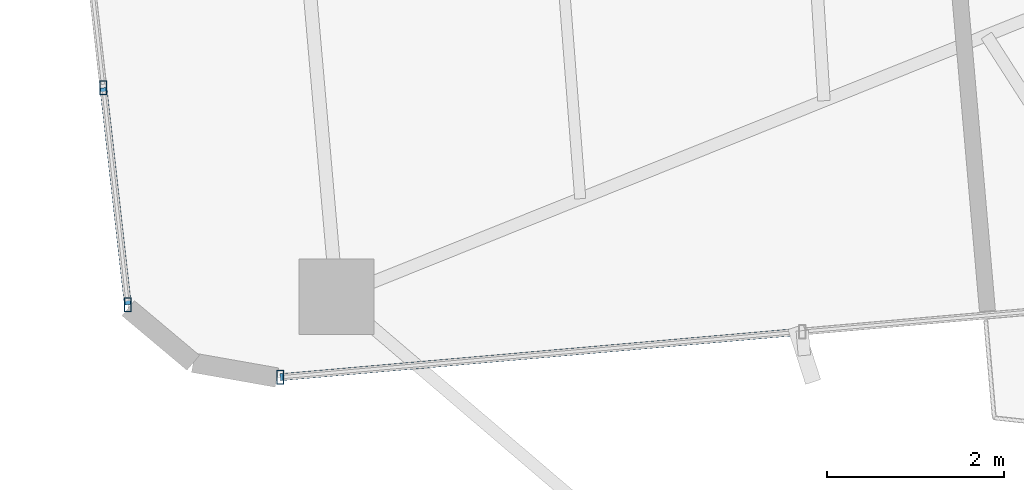
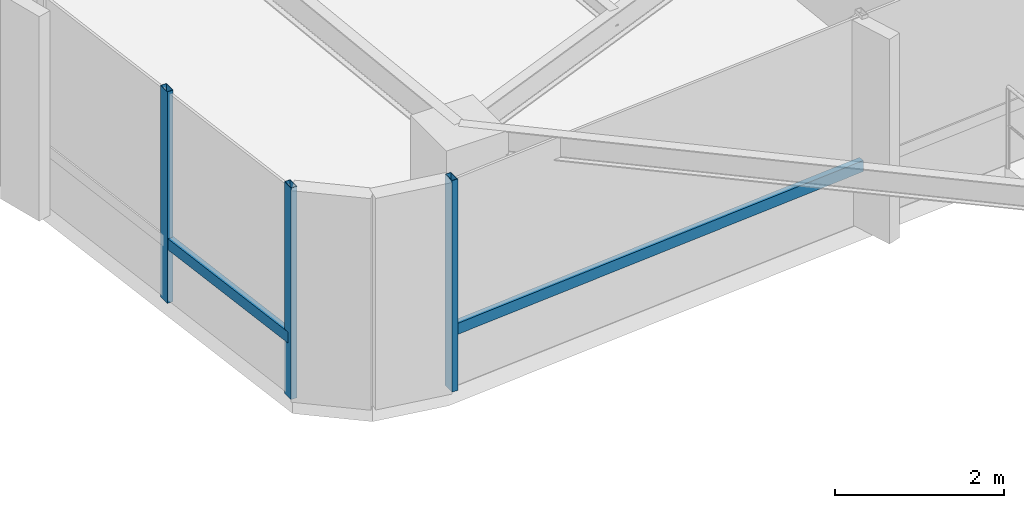
# One storey, part 3 of 24: 5 members, 2 elements without a shape of their own.
"""IFC4 building model written with IfcOpenShell, lengths in metres."""

from ifc_helpers import new_model, si_unit, direction, frame, origin, origin_2d, place, context, subcontext, project, spatial, hollow_rectangle, extrude, source, transform, mapped, material, material_profile, profile_set, type_object, element, aggregate, save


model = new_model("IFC4")

# Units and contexts
model_context = context("Model", 3, precision=1e-05, world=origin(), true_north=direction((0.0, 1.0)))
body_context = subcontext(model_context, "Body", "Model", "MODEL_VIEW")
ifc_project = project(units=[si_unit("LENGTHUNIT", "METRE"), si_unit("AREAUNIT", "SQUARE_METRE"), si_unit("VOLUMEUNIT", "CUBIC_METRE"), si_unit("PLANEANGLEUNIT", "RADIAN"), si_unit("MASSUNIT", "GRAM", prefix="KILO")], contexts=[model_context])

# Site, building, storey
site_placement = place(None, origin())
site = spatial("IfcSite", under=ifc_project, at=site_placement, CompositionType="ELEMENT")
building_placement = place(site_placement, origin())
building = spatial("IfcBuilding", under=site, at=building_placement, Name="Sahyath Konkavel Grand Hotel", CompositionType="ELEMENT")
storey_placement = place(building_placement, frame((0.0, 0.0, 167.35009765625)))
storey = spatial("IfcBuildingStorey", under=building, at=storey_placement, Name="L46", CompositionType="ELEMENT", Elevation=167.35009765625)

# Curtain wall, members
ifc_material_1 = material(Name="Anodised Bronze Aluminium & Low-E Glazing", Category="aluminium")
curtain_wall_type = type_object("IfcCurtainWallType", Name="CW-ZONE3", PredefinedType="NOTDEFINED", material=ifc_material_1)
curtain_wall_1_placement = place(storey_placement, origin())
curtain_wall_1 = element("IfcCurtainWall", 1, at=curtain_wall_1_placement, inside=storey, type_object=curtain_wall_type, Name="L46 Unitised Curtain Wall F20", PredefinedType="NOTDEFINED")
ifc_material_2 = material(Name="Anodised Bronze Aluminium", Category="aluminium")
ifc_material_profile_1 = material_profile(ifc_material_2, hollow_rectangle(XDim=0.080078125, YDim=0.159912109375, WallThickness=0.006103515625, at=origin_2d()), Name="RHS 160x80x6")
ifc_profile_set_1 = profile_set([ifc_material_profile_1], Name="Anodised Bronze Aluminium")
member_type_1 = type_object("IfcMemberType", Name="CW-MUL-160", PredefinedType="MULLION", material=ifc_profile_set_1)
shared_shape_1 = source(origin(), body_context, "Body", "SweptSolid", [
    extrude(hollow_rectangle(XDim=0.080078125, YDim=0.159912109375, WallThickness=0.006103515625, at=origin_2d()), origin(), (0.0, 0.0, 1.0), 3.0498046875),
])
member_1_placement = place(storey_placement, frame((-19.583984375, -4.648193359375, 0.0), z_axis=(0.0, 0.0, 1.0), x_axis=(1.0, 0.0, 0.0)))
member_1 = element("IfcMember", 2, at=member_1_placement, type_object=member_type_1, Name="L46 Curtain Wall Mullion F20-3", PredefinedType="MULLION", context=body_context, shape_type="MappedRepresentation", body=[
    mapped(shared_shape_1, transform((0.0, 0.0, 0.0), scale=1.0)),
])
member_2_placement = place(storey_placement, frame((-19.308349609375, -7.094970703125, 0.0), z_axis=(0.0, 0.0, 1.0), x_axis=(1.0, 0.0, 0.0)))
member_2 = element("IfcMember", 3, at=member_2_placement, type_object=member_type_1, Name="L46 Curtain Wall Mullion F20-4", PredefinedType="MULLION", context=body_context, shape_type="MappedRepresentation", body=[
    mapped(shared_shape_1, transform((0.0, 0.0, 0.0), scale=1.0)),
])

# Curtain wall, member
curtain_wall_2_placement = place(storey_placement, origin())
curtain_wall_2 = element("IfcCurtainWall", 4, at=curtain_wall_2_placement, inside=storey, type_object=curtain_wall_type, Name="L46 Unitised Curtain Wall F23", PredefinedType="NOTDEFINED")
member_3_placement = place(storey_placement, frame((-17.58740234375, -7.912841796875, 0.0), z_axis=(0.0, 0.0, 1.0), x_axis=(1.0, 0.0, 0.0)))
member_3 = element("IfcMember", 5, at=member_3_placement, type_object=member_type_1, Name="L46 Curtain Wall Mullion F23-0", PredefinedType="MULLION", context=body_context, shape_type="MappedRepresentation", body=[
    mapped(shared_shape_1, transform((0.0, 0.0, 0.0), scale=1.0)),
])

# Member
ifc_material_profile_2 = material_profile(ifc_material_2, hollow_rectangle(XDim=0.080078125, YDim=0.159912109375, WallThickness=0.006103515625, at=origin_2d()), Name="RHS 160x80x6")
ifc_profile_set_2 = profile_set([ifc_material_profile_2], Name="Anodised Bronze Aluminium")
member_type_2 = type_object("IfcMemberType", Name="CW-TRN-160", PredefinedType="USERDEFINED", material=ifc_profile_set_2)
shared_shape_2 = source(origin(), body_context, "Body", "SweptSolid", [
    extrude(hollow_rectangle(XDim=0.080078125, YDim=0.159912109375, WallThickness=0.006103515625, at=origin_2d()), origin(), (0.0, 0.0, 1.0), 2.462158203125),
])
member_4_placement = place(storey_placement, frame((-19.583984375, -4.648193359375, 0.849853515625), z_axis=(0.11194409079, -0.993714506555, 0.0), x_axis=(0.993714506555, 0.11194409079, 0.0)))
member_4 = element("IfcMember", 6, at=member_4_placement, type_object=member_type_2, Name="L46 Curtain Wall Transom F20-3-spandrel", ObjectType="TRANSOM", PredefinedType="USERDEFINED", context=body_context, shape_type="MappedRepresentation", body=[
    mapped(shared_shape_2, transform((0.0, 0.0, 0.0), scale=1.0)),
])

aggregate(curtain_wall_1, [member_1, member_2, member_4])

shared_shape_3 = source(origin(), body_context, "Body", "SweptSolid", [
    extrude(hollow_rectangle(XDim=0.080078125, YDim=0.159912109375, WallThickness=0.006103515625, at=origin_2d()), origin(), (0.0, 0.0, 1.0), 5.91015625),
])
member_5_placement = place(storey_placement, frame((-17.58740234375, -7.912841796875, 0.849853515625), z_axis=(0.996197841474, 0.087119806256, 0.0), x_axis=(-0.087119806256, 0.996197841474, 0.0)))
member_5 = element("IfcMember", 7, at=member_5_placement, type_object=member_type_2, Name="L46 Curtain Wall Transom F23-0-spandrel", ObjectType="TRANSOM", PredefinedType="USERDEFINED", context=body_context, shape_type="MappedRepresentation", body=[
    mapped(shared_shape_3, transform((0.0, 0.0, 0.0), scale=1.0)),
])

aggregate(curtain_wall_2, [member_3, member_5])

save(model, "model.ifc")
